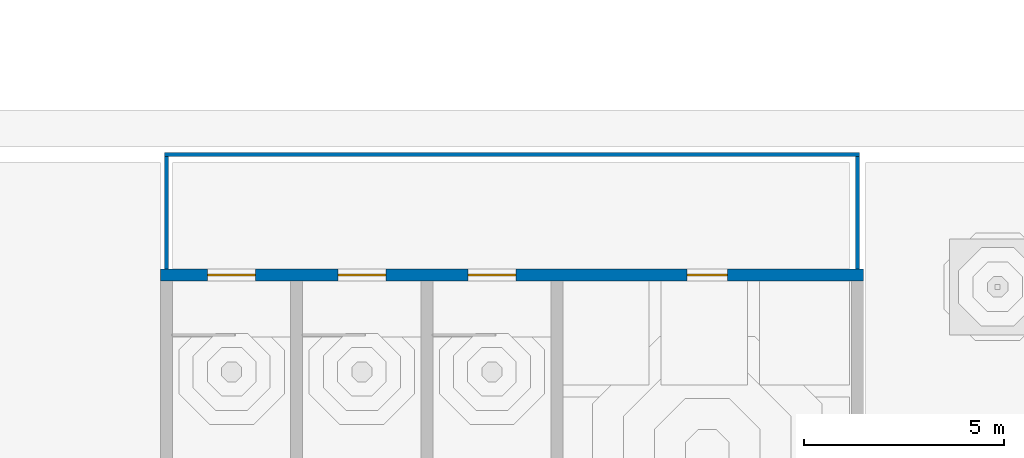
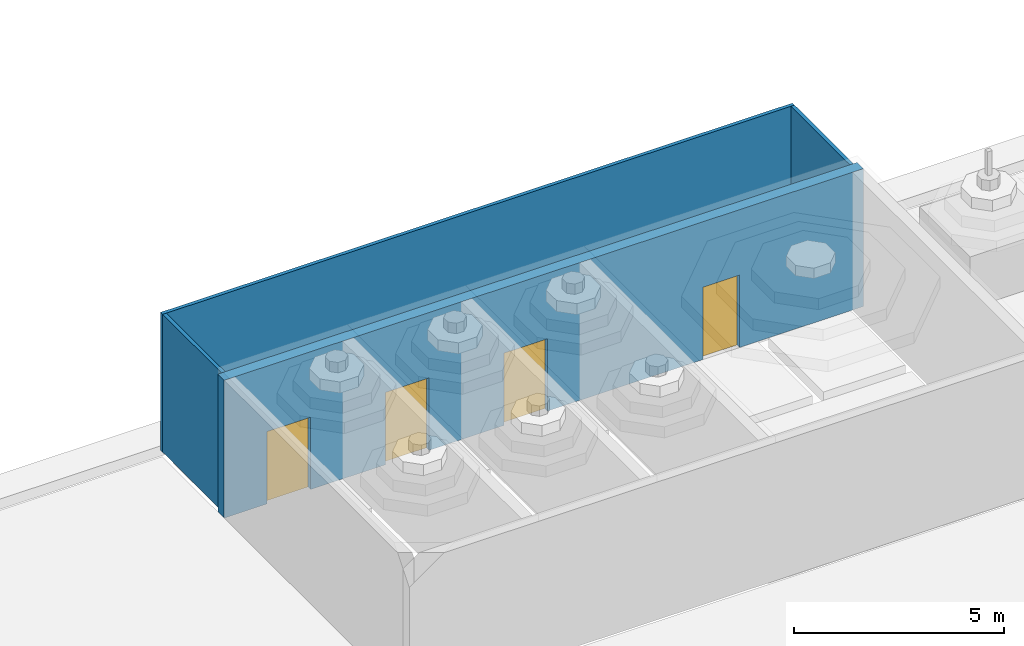
# One storey, part 10 of 63: 4 doors, 4 walls, 4 openings.
"""IFC4 building model written with IfcOpenShell, lengths in metres."""

from ifc_helpers import new_model, si_unit, direction, frame, frame_2d, origin, place, context, subcontext, project, spatial, rectangle, extrude, material, layer, layer_set, type_object, element, fill, save


model = new_model("IFC4")

# Units and contexts
model_context = context("Model", 3, precision=1e-05, world=origin(), true_north=direction((0.0, 1.0)))
body_context = subcontext(model_context, "Body", "Model", "MODEL_VIEW")
ifc_project = project(units=[si_unit("LENGTHUNIT", "METRE"), si_unit("AREAUNIT", "SQUARE_METRE"), si_unit("VOLUMEUNIT", "CUBIC_METRE"), si_unit("PLANEANGLEUNIT", "RADIAN"), si_unit("MASSUNIT", "GRAM", prefix="KILO")], contexts=[model_context])

# Site, building, storey
site_placement = place(None, origin())
site = spatial("IfcSite", under=ifc_project, at=site_placement, CompositionType="ELEMENT")
building_placement = place(site_placement, origin())
building = spatial("IfcBuilding", under=site, at=building_placement, Name="Noorbagh Ring Tower", CompositionType="ELEMENT")
storey_placement = place(building_placement, frame((0.0, 0.0, 25.0)))
storey = spatial("IfcBuildingStorey", under=building, at=storey_placement, Name="L04", CompositionType="ELEMENT", Elevation=25.0)

# Walls
ifc_material_1 = material(Name="Gypsum board on steel studs", Category="steel")
ifc_layer_1 = layer(ifc_material_1, 0.10009765625)
ifc_layer_set_1 = layer_set([ifc_layer_1], Name="Gypsum board on steel studs")
wall_type_1 = type_object("IfcWallType", Name="TH-PART-100", PredefinedType="PARTITIONING", material=ifc_layer_set_1)
wall_1_placement = place(storey_placement, frame((-128.300048828125, 30.800048828125, 0.0), z_axis=(0.0, 0.0, 1.0), x_axis=(1.0, 0.0, 0.0)))
element("IfcWall", 1, at=wall_1_placement, inside=storey, type_object=wall_type_1, Name="L04/th-wall/019", PredefinedType="PARTITIONING", context=body_context, shape_type="SweptSolid", body=[
    extrude(rectangle(XDim=17.35009765625, YDim=0.10009765625, at=frame_2d((8.675048828125, 0.0))), origin(), (0.0, 0.0, 1.0), 4.0),
])
for number, where, z_axis, x_axis, name in (
    (2, (-128.25, 27.949951171875, 0.0), (0.0, 0.0, 1.0), (0.0, 1.0, 0.0), "L04/th-wall/021"),
    (3, (-111.0, 27.949951171875, 0.0), (0.0, 0.0, 1.0), (0.0, 1.0, 0.0), "L04/th-wall/023"),
):
    element("IfcWall", number, at=place(storey_placement, frame(where, z_axis=z_axis, x_axis=x_axis)), inside=storey, type_object=wall_type_1, Name=name, PredefinedType="PARTITIONING", context=body_context, shape_type="SweptSolid", body=[
        extrude(rectangle(XDim=2.800048828125, YDim=0.10009765625, at=frame_2d((1.39990234375, 0.0))), origin(), (0.0, 0.0, 1.0), 4.0),
    ])

# Wall, openings, doors
ifc_material_2 = material(Name="Concrete C50/60", Category="concrete")
ifc_layer_2 = layer(ifc_material_2, 0.300048828125)
ifc_layer_set_2 = layer_set([ifc_layer_2], Name="Concrete C50/60")
wall_type_2 = type_object("IfcWallType", Name="TH-WALL-CORE-ROOF", PredefinedType="SHEAR", material=ifc_layer_set_2)
wall_2_placement = place(storey_placement, frame((-128.39990234375, 27.800048828125, 0.0), z_axis=(0.0, 0.0, 1.0), x_axis=(1.0, 0.0, 0.0)))
wall_2 = element("IfcWall", 4, at=wall_2_placement, inside=storey, type_object=wall_type_2, Name="Head house wall", PredefinedType="SHEAR", context=body_context, shape_type="SweptSolid", body=[
    extrude(rectangle(XDim=17.5498046875, YDim=0.300048828125, at=frame_2d((8.77490234375, 0.0))), origin(), (0.0, 0.0, 1.0), 4.0),
])
opening_1_placement = place(wall_2_placement, frame((4.425048828125, 0.0, 0.0)))
opening_1 = element("IfcOpeningElement", 5, at=opening_1_placement, cuts=wall_2, Name="Opening TL04-D05", PredefinedType="OPENING", context=body_context, shape_type="SweptSolid", body=[
    extrude(rectangle(XDim=1.199951171875, YDim=2.10009765625, at=frame_2d((0.60009765625, 1.050048828125))), frame((0.0, 0.16015625, 0.0), z_axis=(0.0, -1.0, 0.0), x_axis=(1.0, 0.0, 0.0)), (0.0, 0.0, 1.0), 0.320068359375),
])
opening_2_placement = place(wall_2_placement, frame((7.675048828125, 0.0, 0.0)))
opening_2 = element("IfcOpeningElement", 6, at=opening_2_placement, cuts=wall_2, Name="Opening TL04-D06", PredefinedType="OPENING", context=body_context, shape_type="SweptSolid", body=[
    extrude(rectangle(XDim=1.199951171875, YDim=2.10009765625, at=frame_2d((0.60009765625, 1.050048828125))), frame((0.0, 0.16015625, 0.0), z_axis=(0.0, -1.0, 0.0), x_axis=(1.0, 0.0, 0.0)), (0.0, 0.0, 1.0), 0.320068359375),
])
opening_3_placement = place(wall_2_placement, frame((1.175048828125, 0.0, 0.0)))
opening_3 = element("IfcOpeningElement", 7, at=opening_3_placement, cuts=wall_2, Name="Opening TL04-D07", PredefinedType="OPENING", context=body_context, shape_type="SweptSolid", body=[
    extrude(rectangle(XDim=1.199951171875, YDim=2.10009765625, at=frame_2d((0.60009765625, 1.050048828125))), frame((0.0, 0.16015625, 0.0), z_axis=(0.0, -1.0, 0.0), x_axis=(1.0, 0.0, 0.0)), (0.0, 0.0, 1.0), 0.320068359375),
])
opening_4_placement = place(wall_2_placement, frame((13.14990234375, 0.0, 0.0)))
opening_4 = element("IfcOpeningElement", 8, at=opening_4_placement, cuts=wall_2, Name="Opening TL04-D08", PredefinedType="OPENING", context=body_context, shape_type="SweptSolid", body=[
    extrude(rectangle(XDim=1.0, YDim=2.10009765625, at=frame_2d((0.5, 1.050048828125))), frame((0.0, 0.16015625, 0.0), z_axis=(0.0, -1.0, 0.0), x_axis=(1.0, 0.0, 0.0)), (0.0, 0.0, 1.0), 0.320068359375),
])
ifc_material_3 = material(Name="Steel", Category="steel")
door_type_1 = type_object("IfcDoorType", Name="TH-DOOR-EXT-1000", OperationType="SINGLE_SWING_LEFT", PredefinedType="DOOR", material=ifc_material_3)
door_1_placement = place(opening_4_placement, origin())
door_1 = element("IfcDoor", 9, at=door_1_placement, inside=storey, type_object=door_type_1, Name="Door Roof terrace to Hoist plant room N TL04-D08", OperationType="SINGLE_SWING_RIGHT", OverallHeight=2.10009765625, OverallWidth=1.0, PredefinedType="DOOR", context=body_context, shape_type="SweptSolid", body=[
    extrude(rectangle(XDim=1.0, YDim=2.10009765625, at=frame_2d((0.5, 1.050048828125))), frame((0.0, 0.02490234375, 0.0), z_axis=(0.0, -1.0, 0.0), x_axis=(1.0, 0.0, 0.0)), (0.0, 0.0, 1.0), 0.050048828125),
])
fill(opening_4, door_1)
ifc_material_4 = material(Name="Steel", Category="steel")
door_type_2 = type_object("IfcDoorType", Name="TH-DOOR-STAIR-1200", OperationType="SINGLE_SWING_LEFT", PredefinedType="DOOR", material=ifc_material_4)
door_2_placement = place(opening_1_placement, origin())
door_2 = element("IfcDoor", 10, at=door_2_placement, inside=storey, type_object=door_type_2, Name="Door Stair head N1 to Roof terrace TL04-D05", OperationType="SINGLE_SWING_RIGHT", OverallHeight=2.10009765625, OverallWidth=1.199951171875, PredefinedType="DOOR", context=body_context, shape_type="SweptSolid", body=[
    extrude(rectangle(XDim=1.199951171875, YDim=2.10009765625, at=frame_2d((0.60009765625, 1.050048828125))), frame((0.0, 0.02490234375, 0.0), z_axis=(0.0, -1.0, 0.0), x_axis=(1.0, 0.0, 0.0)), (0.0, 0.0, 1.0), 0.050048828125),
])
fill(opening_1, door_2)
door_3_placement = place(opening_2_placement, origin())
door_3 = element("IfcDoor", 11, at=door_3_placement, inside=storey, type_object=door_type_2, Name="Door Stair head N2 to Roof terrace TL04-D06", OperationType="SINGLE_SWING_RIGHT", OverallHeight=2.10009765625, OverallWidth=1.199951171875, PredefinedType="DOOR", context=body_context, shape_type="SweptSolid", body=[
    extrude(rectangle(XDim=1.199951171875, YDim=2.10009765625, at=frame_2d((0.60009765625, 1.050048828125))), frame((0.0, 0.02490234375, 0.0), z_axis=(0.0, -1.0, 0.0), x_axis=(1.0, 0.0, 0.0)), (0.0, 0.0, 1.0), 0.050048828125),
])
fill(opening_2, door_3)
door_4_placement = place(opening_3_placement, origin())
door_4 = element("IfcDoor", 12, at=door_4_placement, inside=storey, type_object=door_type_2, Name="Door Stair head N3 to Roof terrace TL04-D07", OperationType="SINGLE_SWING_RIGHT", OverallHeight=2.10009765625, OverallWidth=1.199951171875, PredefinedType="DOOR", context=body_context, shape_type="SweptSolid", body=[
    extrude(rectangle(XDim=1.199951171875, YDim=2.10009765625, at=frame_2d((0.60009765625, 1.050048828125))), frame((0.0, 0.02490234375, 0.0), z_axis=(0.0, -1.0, 0.0), x_axis=(1.0, 0.0, 0.0)), (0.0, 0.0, 1.0), 0.050048828125),
])
fill(opening_3, door_4)

save(model, "model.ifc")
